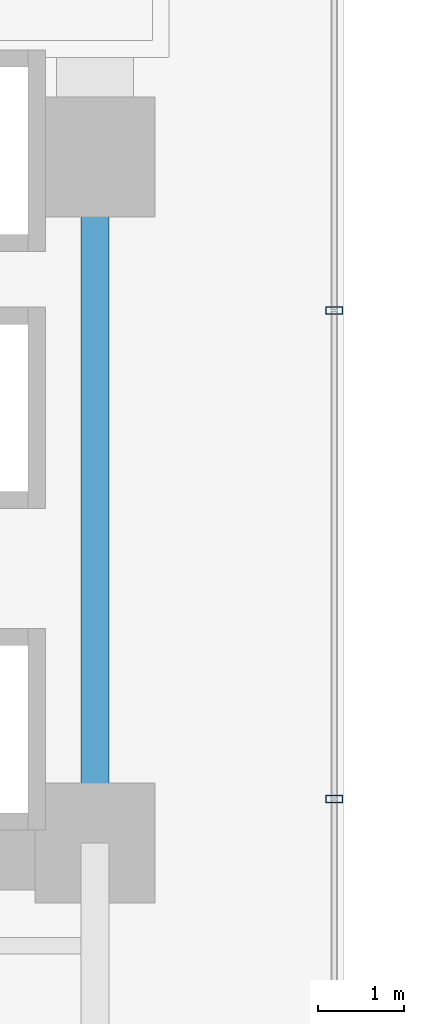
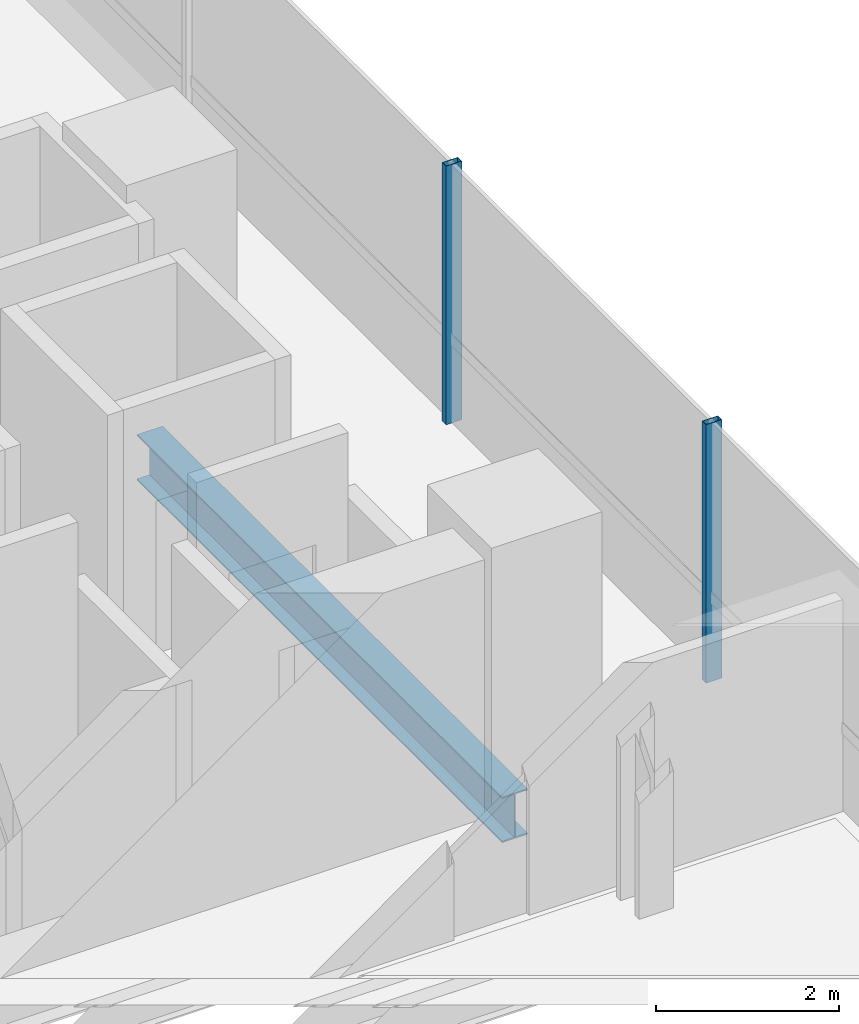
# One storey, part 6 of 41: 2 members, 1 beam, 1 element without a shape of its own.
"""IFC4 building model written with IfcOpenShell, lengths in metres."""

from ifc_helpers import new_model, si_unit, direction, frame, origin, origin_2d, place, context, subcontext, project, spatial, hollow_rectangle, i_section, extrude, source, transform, mapped, material, material_profile, profile_set, type_object, element, aggregate, save


model = new_model("IFC4")

# Units and contexts
model_context = context("Model", 3, precision=1e-05, world=origin(), true_north=direction((0.0, 1.0)))
body_context = subcontext(model_context, "Body", "Model", "MODEL_VIEW")
ifc_project = project(units=[si_unit("LENGTHUNIT", "METRE"), si_unit("AREAUNIT", "SQUARE_METRE"), si_unit("VOLUMEUNIT", "CUBIC_METRE"), si_unit("PLANEANGLEUNIT", "RADIAN"), si_unit("MASSUNIT", "GRAM", prefix="KILO")], contexts=[model_context])

# Site, building, storey
site_placement = place(None, origin())
site = spatial("IfcSite", under=ifc_project, at=site_placement, CompositionType="ELEMENT")
building_placement = place(site_placement, origin())
building = spatial("IfcBuilding", under=site, at=building_placement, Name="Valdorenza Pilgrim Sanctuary Tower", CompositionType="ELEMENT")
storey_placement = place(building_placement, frame((0.0, 0.0, 59.300048828125)))
storey = spatial("IfcBuildingStorey", under=building, at=storey_placement, Name="L14", CompositionType="ELEMENT", Elevation=59.300048828125)

# Beam
ifc_material_1 = material(Name="Steel ASTM A992 Grade 50", Category="steel")
ifc_material_profile_1 = material_profile(ifc_material_1, i_section(OverallWidth=0.323974609375, OverallDepth=0.611083984375, WebThickness=0.0126953125, FlangeThickness=0.01904296875, at=origin_2d()), Name="W24X104")
ifc_profile_set_1 = profile_set([ifc_material_profile_1], Name="Steel ASTM A992 Grade 50")
beam_type = type_object("IfcBeamType", Name="STR-BM-GRD-W24B", PredefinedType="BEAM", material=ifc_profile_set_1)
shared_shape_1 = source(origin(), body_context, "Body", "SweptSolid", [
    extrude(i_section(OverallWidth=0.323974609375, OverallDepth=0.611083984375, WebThickness=0.0126953125, FlangeThickness=0.01904296875, at=origin_2d()), origin(), (0.0, 0.0, 1.0), 8.0),
])
beam_placement = place(storey_placement, frame((-12.39990234375, -10.60009765625, -0.545654296875), z_axis=(0.0, 1.0, 0.0), x_axis=(-1.0, 0.0, 0.0)))
element("IfcBeam", 1, at=beam_placement, inside=storey, type_object=beam_type, Name="L14 Core Tie Girder CA-E-S1M0", PredefinedType="BEAM", context=body_context, shape_type="MappedRepresentation", body=[
    mapped(shared_shape_1, transform((0.0, 0.0, 0.0), x_axis=(1.0, 0.0, 0.0), y_axis=(0.0, 1.0, 0.0), z_axis=(0.0, 0.0, 1.0), scale=1.0)),
])

# Curtain wall, members
ifc_material_2 = material(Name="Curtain-wall IGU glazing", Category="glass")
curtain_wall_type = type_object("IfcCurtainWallType", Name="CW-SYS-02", PredefinedType="NOTDEFINED", material=ifc_material_2)
curtain_wall_placement = place(storey_placement, origin())
curtain_wall = element("IfcCurtainWall", 2, at=curtain_wall_placement, inside=storey, type_object=curtain_wall_type, Name="L14 Curtain Wall CW-L14-1-41", PredefinedType="NOTDEFINED")
ifc_material_3 = material(Name="Anodised aluminium AW-6060", Category="aluminium")
ifc_material_profile_2 = material_profile(ifc_material_3, hollow_rectangle(XDim=0.0849609375, YDim=0.199951171875, WallThickness=0.0048828125, at=origin_2d()), Name="ALU-M 200x85x5")
ifc_profile_set_2 = profile_set([ifc_material_profile_2], Name="Anodised aluminium AW-6060")
member_type = type_object("IfcMemberType", Name="CW-MUL-02", PredefinedType="MULLION", material=ifc_profile_set_2)
shared_shape_2 = source(origin(), body_context, "Body", "SweptSolid", [
    extrude(hollow_rectangle(XDim=0.0849609375, YDim=0.199951171875, WallThickness=0.0048828125, at=origin_2d()), origin(), (0.0, 0.0, 1.0), 3.4599609375),
])
member_1_placement = place(storey_placement, frame((-9.610107421875, -4.38916015625, 0.0), z_axis=(0.0, 0.0, 1.0), x_axis=(0.0, -1.0, 0.0)))
member_1 = element("IfcMember", 3, at=member_1_placement, type_object=member_type, Name="CW-L14-1-41 Mullion 3", PredefinedType="MULLION", context=body_context, shape_type="MappedRepresentation", body=[
    mapped(shared_shape_2, transform((0.0, 0.0, 0.0), x_axis=(1.0, 0.0, 0.0), y_axis=(0.0, 1.0, 0.0), z_axis=(0.0, 0.0, 1.0), scale=1.0)),
])
member_2_placement = place(storey_placement, frame((-9.610107421875, -10.089111328125, 0.0), z_axis=(0.0, 0.0, 1.0), x_axis=(0.0, -1.0, 0.0)))
member_2 = element("IfcMember", 4, at=member_2_placement, type_object=member_type, Name="CW-L14-1-41 Mullion 4", PredefinedType="MULLION", context=body_context, shape_type="MappedRepresentation", body=[
    mapped(shared_shape_2, transform((0.0, 0.0, 0.0), x_axis=(1.0, 0.0, 0.0), y_axis=(0.0, 1.0, 0.0), z_axis=(0.0, 0.0, 1.0), scale=1.0)),
])
aggregate(curtain_wall, [member_1, member_2])

save(model, "model.ifc")
